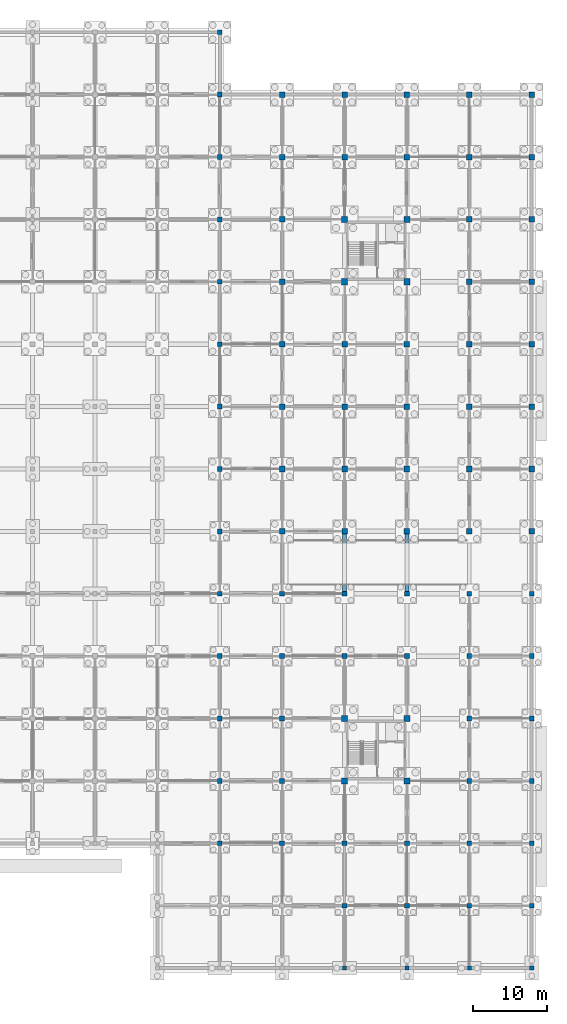
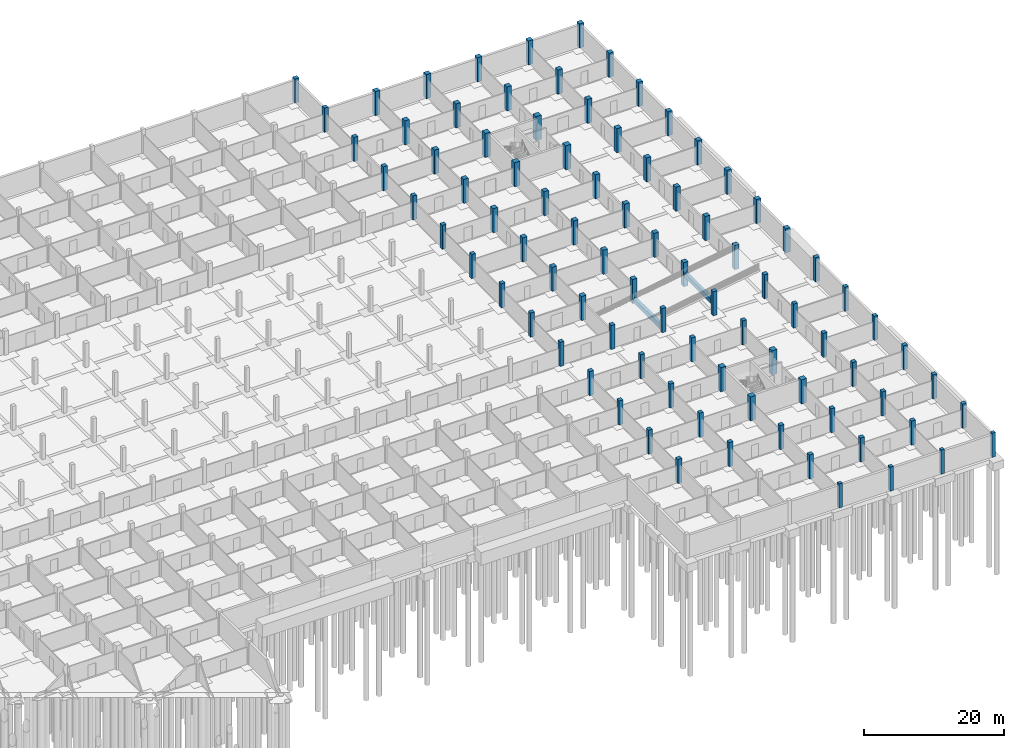
# One storey, part 17 of 43: 87 columns, 2 beams.
"""IFC4 building model written with IfcOpenShell, lengths in metres."""

from ifc_helpers import new_model, si_unit, direction, frame, origin, origin_2d, place, context, subcontext, project, spatial, rectangle, extrude, material, material_profile, profile_set, type_object, element, save


model = new_model("IFC4")

# Units and contexts
model_context = context("Model", 3, precision=1e-05, world=origin(), true_north=direction((0.0, 1.0)))
body_context = subcontext(model_context, "Body", "Model", "MODEL_VIEW")
ifc_project = project(units=[si_unit("LENGTHUNIT", "METRE"), si_unit("AREAUNIT", "SQUARE_METRE"), si_unit("VOLUMEUNIT", "CUBIC_METRE"), si_unit("PLANEANGLEUNIT", "RADIAN"), si_unit("MASSUNIT", "GRAM", prefix="KILO")], contexts=[model_context])

# Site, building, storey
site_placement = place(None, origin())
site = spatial("IfcSite", under=ifc_project, at=site_placement, CompositionType="ELEMENT")
building_placement = place(site_placement, origin())
building = spatial("IfcBuilding", under=site, at=building_placement, Name="Varnapada Polytechnic", CompositionType="ELEMENT")
storey_placement = place(building_placement, frame((0.0, 0.0, -4.199951171875)))
storey = spatial("IfcBuildingStorey", under=building, at=storey_placement, Name="B1", CompositionType="ELEMENT", Elevation=-4.199951171875)

# Columns
ifc_material = material(Name="Concrete C40/50", Category="concrete")
ifc_material_profile_1 = material_profile(ifc_material, rectangle(XDim=0.85009765625, YDim=0.85009765625, at=origin_2d()), Name="RC 850x850")
ifc_profile_set_1 = profile_set([ifc_material_profile_1], Name="Concrete C40/50")
column_type_1 = type_object("IfcColumnType", Name="Column C-01 (RC 850x850)", PredefinedType="COLUMN", material=ifc_profile_set_1)
for number, where, z_axis, x_axis, name in (
    (1, (151.199951171875, 25.199951171875, 0.0), (0.0, 0.0, 1.0), (1.0, 0.0, 0.0), "B1 column 19/4"),
    (2, (151.199951171875, 33.60009765625, 0.0), (0.0, 0.0, 1.0), (1.0, 0.0, 0.0), "B1 column 19/5"),
    (3, (151.199951171875, 92.39990234375, 0.0), (0.0, 0.0, 1.0), (1.0, 0.0, 0.0), "B1 column 19/12"),
    (4, (151.199951171875, 100.800048828125, 0.0), (0.0, 0.0, 1.0), (1.0, 0.0, 0.0), "B1 column 19/13"),
    (5, (159.60009765625, 25.199951171875, 0.0), (0.0, 0.0, 1.0), (1.0, 0.0, 0.0), "B1 column 20/4"),
    (6, (159.60009765625, 33.60009765625, 0.0), (0.0, 0.0, 1.0), (1.0, 0.0, 0.0), "B1 column 20/5"),
    (7, (159.60009765625, 92.39990234375, 0.0), (0.0, 0.0, 1.0), (1.0, 0.0, 0.0), "B1 column 20/12"),
    (8, (159.60009765625, 100.800048828125, 0.0), (0.0, 0.0, 1.0), (1.0, 0.0, 0.0), "B1 column 20/13"),
):
    element("IfcColumn", number, at=place(storey_placement, frame(where, z_axis=z_axis, x_axis=x_axis)), inside=storey, type_object=column_type_1, Name=name, PredefinedType="COLUMN", context=body_context, shape_type="SweptSolid", body=[
        extrude(rectangle(XDim=0.85009765625, YDim=0.85009765625, at=origin_2d()), origin(), (0.0, 0.0, 1.0), 4.199951171875),
    ])
ifc_material_profile_2 = material_profile(ifc_material, rectangle(XDim=0.75, YDim=0.75, at=origin_2d()), Name="RC 750x750")
ifc_profile_set_2 = profile_set([ifc_material_profile_2], Name="Concrete C40/50")
column_type_2 = type_object("IfcColumnType", Name="Column C-02 (RC 750x750)", PredefinedType="COLUMN", material=ifc_profile_set_2)
for number, where, z_axis, x_axis, name in (
    (9, (142.800048828125, 58.800048828125, 0.0), (0.0, 0.0, 1.0), (1.0, 0.0, 0.0), "B1 column 18/8"),
    (10, (142.800048828125, 67.199951171875, 0.0), (0.0, 0.0, 1.0), (1.0, 0.0, 0.0), "B1 column 18/9"),
    (11, (142.800048828125, 75.60009765625, 0.0), (0.0, 0.0, 1.0), (1.0, 0.0, 0.0), "B1 column 18/10"),
    (12, (142.800048828125, 84.0, 0.0), (0.0, 0.0, 1.0), (1.0, 0.0, 0.0), "B1 column 18/11"),
    (13, (142.800048828125, 92.39990234375, 0.0), (0.0, 0.0, 1.0), (1.0, 0.0, 0.0), "B1 column 18/12"),
    (14, (142.800048828125, 100.800048828125, 0.0), (0.0, 0.0, 1.0), (1.0, 0.0, 0.0), "B1 column 18/13"),
    (15, (142.800048828125, 109.199951171875, 0.0), (0.0, 0.0, 1.0), (1.0, 0.0, 0.0), "B1 column 18/14"),
    (16, (142.800048828125, 117.60009765625, 0.0), (0.0, 0.0, 1.0), (1.0, 0.0, 0.0), "B1 column 18/15"),
    (17, (151.199951171875, 58.800048828125, 0.0), (0.0, 0.0, 1.0), (1.0, 0.0, 0.0), "B1 column 19/8"),
    (18, (151.199951171875, 67.199951171875, 0.0), (0.0, 0.0, 1.0), (1.0, 0.0, 0.0), "B1 column 19/9"),
    (19, (151.199951171875, 75.60009765625, 0.0), (0.0, 0.0, 1.0), (1.0, 0.0, 0.0), "B1 column 19/10"),
    (20, (151.199951171875, 84.0, 0.0), (0.0, 0.0, 1.0), (1.0, 0.0, 0.0), "B1 column 19/11"),
    (21, (151.199951171875, 109.199951171875, 0.0), (0.0, 0.0, 1.0), (1.0, 0.0, 0.0), "B1 column 19/14"),
    (22, (151.199951171875, 117.60009765625, 0.0), (0.0, 0.0, 1.0), (1.0, 0.0, 0.0), "B1 column 19/15"),
    (23, (159.60009765625, 58.800048828125, 0.0), (0.0, 0.0, 1.0), (1.0, 0.0, 0.0), "B1 column 20/8"),
    (24, (159.60009765625, 67.199951171875, 0.0), (0.0, 0.0, 1.0), (1.0, 0.0, 0.0), "B1 column 20/9"),
    (25, (159.60009765625, 75.60009765625, 0.0), (0.0, 0.0, 1.0), (1.0, 0.0, 0.0), "B1 column 20/10"),
    (26, (159.60009765625, 84.0, 0.0), (0.0, 0.0, 1.0), (1.0, 0.0, 0.0), "B1 column 20/11"),
    (27, (159.60009765625, 109.199951171875, 0.0), (0.0, 0.0, 1.0), (1.0, 0.0, 0.0), "B1 column 20/14"),
    (28, (159.60009765625, 117.60009765625, 0.0), (0.0, 0.0, 1.0), (1.0, 0.0, 0.0), "B1 column 20/15"),
    (29, (168.0, 58.800048828125, 0.0), (0.0, 0.0, 1.0), (1.0, 0.0, 0.0), "B1 column 21/8"),
    (30, (168.0, 67.199951171875, 0.0), (0.0, 0.0, 1.0), (1.0, 0.0, 0.0), "B1 column 21/9"),
    (31, (168.0, 75.60009765625, 0.0), (0.0, 0.0, 1.0), (1.0, 0.0, 0.0), "B1 column 21/10"),
    (32, (168.0, 84.0, 0.0), (0.0, 0.0, 1.0), (1.0, 0.0, 0.0), "B1 column 21/11"),
    (33, (168.0, 92.39990234375, 0.0), (0.0, 0.0, 1.0), (1.0, 0.0, 0.0), "B1 column 21/12"),
    (34, (168.0, 100.800048828125, 0.0), (0.0, 0.0, 1.0), (1.0, 0.0, 0.0), "B1 column 21/13"),
    (35, (168.0, 109.199951171875, 0.0), (0.0, 0.0, 1.0), (1.0, 0.0, 0.0), "B1 column 21/14"),
    (36, (168.0, 117.60009765625, 0.0), (0.0, 0.0, 1.0), (1.0, 0.0, 0.0), "B1 column 21/15"),
    (37, (176.39990234375, 58.800048828125, 0.0), (0.0, 0.0, 1.0), (1.0, 0.0, 0.0), "B1 column 22/8"),
    (38, (176.39990234375, 67.199951171875, 0.0), (0.0, 0.0, 1.0), (1.0, 0.0, 0.0), "B1 column 22/9"),
    (39, (176.39990234375, 75.60009765625, 0.0), (0.0, 0.0, 1.0), (1.0, 0.0, 0.0), "B1 column 22/10"),
    (40, (176.39990234375, 84.0, 0.0), (0.0, 0.0, 1.0), (1.0, 0.0, 0.0), "B1 column 22/11"),
    (41, (176.39990234375, 92.39990234375, 0.0), (0.0, 0.0, 1.0), (1.0, 0.0, 0.0), "B1 column 22/12"),
    (42, (176.39990234375, 100.800048828125, 0.0), (0.0, 0.0, 1.0), (1.0, 0.0, 0.0), "B1 column 22/13"),
    (43, (176.39990234375, 109.199951171875, 0.0), (0.0, 0.0, 1.0), (1.0, 0.0, 0.0), "B1 column 22/14"),
    (44, (176.39990234375, 117.60009765625, 0.0), (0.0, 0.0, 1.0), (1.0, 0.0, 0.0), "B1 column 22/15"),
):
    element("IfcColumn", number, at=place(storey_placement, frame(where, z_axis=z_axis, x_axis=x_axis)), inside=storey, type_object=column_type_2, Name=name, PredefinedType="COLUMN", context=body_context, shape_type="SweptSolid", body=[
        extrude(rectangle(XDim=0.75, YDim=0.75, at=origin_2d()), origin(), (0.0, 0.0, 1.0), 4.199951171875),
    ])
ifc_material_profile_3 = material_profile(ifc_material, rectangle(XDim=0.64990234375, YDim=0.64990234375, at=origin_2d()), Name="RC 650x650")
ifc_profile_set_3 = profile_set([ifc_material_profile_3], Name="Concrete C40/50")
column_type_3 = type_object("IfcColumnType", Name="Column C-03 (RC 650x650)", PredefinedType="COLUMN", material=ifc_profile_set_3)
for number, where, z_axis, x_axis, name in (
    (45, (134.39990234375, 16.800048828125, 0.0), (0.0, 0.0, 1.0), (1.0, 0.0, 0.0), "B1 column 17/3"),
    (46, (134.39990234375, 25.199951171875, 0.0), (0.0, 0.0, 1.0), (1.0, 0.0, 0.0), "B1 column 17/4"),
    (47, (134.39990234375, 33.60009765625, 0.0), (0.0, 0.0, 1.0), (1.0, 0.0, 0.0), "B1 column 17/5"),
    (48, (134.39990234375, 42.0, 0.0), (0.0, 0.0, 1.0), (1.0, 0.0, 0.0), "B1 column 17/6"),
    (49, (134.39990234375, 50.39990234375, 0.0), (0.0, 0.0, 1.0), (1.0, 0.0, 0.0), "B1 column 17/7"),
    (50, (134.39990234375, 58.800048828125, 0.0), (0.0, 0.0, 1.0), (1.0, 0.0, 0.0), "B1 column 17/8"),
    (51, (134.39990234375, 67.199951171875, 0.0), (0.0, 0.0, 1.0), (1.0, 0.0, 0.0), "B1 column 17/9"),
    (52, (134.39990234375, 75.60009765625, 0.0), (0.0, 0.0, 1.0), (1.0, 0.0, 0.0), "B1 column 17/10"),
    (53, (134.39990234375, 84.0, 0.0), (0.0, 0.0, 1.0), (1.0, 0.0, 0.0), "B1 column 17/11"),
    (54, (134.39990234375, 92.39990234375, 0.0), (0.0, 0.0, 1.0), (1.0, 0.0, 0.0), "B1 column 17/12"),
    (55, (134.39990234375, 100.800048828125, 0.0), (0.0, 0.0, 1.0), (1.0, 0.0, 0.0), "B1 column 17/13"),
    (56, (134.39990234375, 109.199951171875, 0.0), (0.0, 0.0, 1.0), (1.0, 0.0, 0.0), "B1 column 17/14"),
    (57, (134.39990234375, 117.60009765625, 0.0), (0.0, 0.0, 1.0), (1.0, 0.0, 0.0), "B1 column 17/15"),
    (58, (134.39990234375, 126.0, 0.0), (0.0, 0.0, 1.0), (1.0, 0.0, 0.0), "B1 column 17/16"),
    (59, (142.800048828125, 16.800048828125, 0.0), (0.0, 0.0, 1.0), (1.0, 0.0, 0.0), "B1 column 18/3"),
    (60, (142.800048828125, 25.199951171875, 0.0), (0.0, 0.0, 1.0), (1.0, 0.0, 0.0), "B1 column 18/4"),
    (61, (142.800048828125, 33.60009765625, 0.0), (0.0, 0.0, 1.0), (1.0, 0.0, 0.0), "B1 column 18/5"),
    (62, (142.800048828125, 42.0, 0.0), (0.0, 0.0, 1.0), (1.0, 0.0, 0.0), "B1 column 18/6"),
    (63, (142.800048828125, 50.39990234375, 0.0), (0.0, 0.0, 1.0), (1.0, 0.0, 0.0), "B1 column 18/7"),
    (64, (151.199951171875, 8.39990234375, 0.0), (0.0, 0.0, 1.0), (1.0, 0.0, 0.0), "B1 column 19/2"),
    (65, (151.199951171875, 16.800048828125, 0.0), (0.0, 0.0, 1.0), (1.0, 0.0, 0.0), "B1 column 19/3"),
    (66, (151.199951171875, 42.0, 0.0), (0.0, 0.0, 1.0), (1.0, 0.0, 0.0), "B1 column 19/6"),
    (67, (151.199951171875, 50.39990234375, 0.0), (0.0, 0.0, 1.0), (1.0, 0.0, 0.0), "B1 column 19/7"),
    (68, (159.60009765625, 8.39990234375, 0.0), (0.0, 0.0, 1.0), (1.0, 0.0, 0.0), "B1 column 20/2"),
    (69, (159.60009765625, 16.800048828125, 0.0), (0.0, 0.0, 1.0), (1.0, 0.0, 0.0), "B1 column 20/3"),
    (70, (159.60009765625, 42.0, 0.0), (0.0, 0.0, 1.0), (1.0, 0.0, 0.0), "B1 column 20/6"),
    (71, (159.60009765625, 50.39990234375, 0.0), (0.0, 0.0, 1.0), (1.0, 0.0, 0.0), "B1 column 20/7"),
    (72, (168.0, 8.39990234375, 0.0), (0.0, 0.0, 1.0), (1.0, 0.0, 0.0), "B1 column 21/2"),
    (73, (168.0, 16.800048828125, 0.0), (0.0, 0.0, 1.0), (1.0, 0.0, 0.0), "B1 column 21/3"),
    (74, (168.0, 25.199951171875, 0.0), (0.0, 0.0, 1.0), (1.0, 0.0, 0.0), "B1 column 21/4"),
    (75, (168.0, 33.60009765625, 0.0), (0.0, 0.0, 1.0), (1.0, 0.0, 0.0), "B1 column 21/5"),
    (76, (168.0, 42.0, 0.0), (0.0, 0.0, 1.0), (1.0, 0.0, 0.0), "B1 column 21/6"),
    (77, (168.0, 50.39990234375, 0.0), (0.0, 0.0, 1.0), (1.0, 0.0, 0.0), "B1 column 21/7"),
    (78, (176.39990234375, 8.39990234375, 0.0), (0.0, 0.0, 1.0), (1.0, 0.0, 0.0), "B1 column 22/2"),
    (79, (176.39990234375, 16.800048828125, 0.0), (0.0, 0.0, 1.0), (1.0, 0.0, 0.0), "B1 column 22/3"),
    (80, (176.39990234375, 25.199951171875, 0.0), (0.0, 0.0, 1.0), (1.0, 0.0, 0.0), "B1 column 22/4"),
    (81, (176.39990234375, 33.60009765625, 0.0), (0.0, 0.0, 1.0), (1.0, 0.0, 0.0), "B1 column 22/5"),
    (82, (176.39990234375, 42.0, 0.0), (0.0, 0.0, 1.0), (1.0, 0.0, 0.0), "B1 column 22/6"),
    (83, (176.39990234375, 50.39990234375, 0.0), (0.0, 0.0, 1.0), (1.0, 0.0, 0.0), "B1 column 22/7"),
):
    element("IfcColumn", number, at=place(storey_placement, frame(where, z_axis=z_axis, x_axis=x_axis)), inside=storey, type_object=column_type_3, Name=name, PredefinedType="COLUMN", context=body_context, shape_type="SweptSolid", body=[
        extrude(rectangle(XDim=0.64990234375, YDim=0.64990234375, at=origin_2d()), origin(), (0.0, 0.0, 1.0), 4.199951171875),
    ])
ifc_material_profile_4 = material_profile(ifc_material, rectangle(XDim=0.550048828125, YDim=0.550048828125, at=origin_2d()), Name="RC 550x550")
ifc_profile_set_4 = profile_set([ifc_material_profile_4], Name="Concrete C40/50")
column_type_4 = type_object("IfcColumnType", Name="Column C-04 (RC 550x550)", PredefinedType="COLUMN", material=ifc_profile_set_4)
for number, where, z_axis, x_axis, name in (
    (84, (151.199951171875, 0.0, 0.0), (0.0, 0.0, 1.0), (1.0, 0.0, 0.0), "B1 column 19/1"),
    (85, (159.60009765625, 0.0, 0.0), (0.0, 0.0, 1.0), (1.0, 0.0, 0.0), "B1 column 20/1"),
    (86, (168.0, 0.0, 0.0), (0.0, 0.0, 1.0), (1.0, 0.0, 0.0), "B1 column 21/1"),
    (87, (176.39990234375, 0.0, 0.0), (0.0, 0.0, 1.0), (1.0, 0.0, 0.0), "B1 column 22/1"),
):
    element("IfcColumn", number, at=place(storey_placement, frame(where, z_axis=z_axis, x_axis=x_axis)), inside=storey, type_object=column_type_4, Name=name, PredefinedType="COLUMN", context=body_context, shape_type="SweptSolid", body=[
        extrude(rectangle(XDim=0.550048828125, YDim=0.550048828125, at=origin_2d()), origin(), (0.0, 0.0, 1.0), 4.199951171875),
    ])

# Beams
ifc_material_profile_5 = material_profile(ifc_material, rectangle(XDim=0.5, YDim=0.800048828125, at=origin_2d()), Name="RC 500x800")
ifc_profile_set_5 = profile_set([ifc_material_profile_5], Name="Concrete C40/50")
beam_type = type_object("IfcBeamType", Name="Refectory podium girder BB-03 (RC 500x800)", PredefinedType="BEAM", material=ifc_profile_set_5)
for number, where, z_axis, x_axis, name in (
    (88, (151.199951171875, 50.39990234375, 0.579833984375), (0.0, 1.0, 0.0), (-1.0, 0.0, 0.0), "Vehicle ramp transverse support girder 1"),
    (89, (159.60009765625, 50.39990234375, 2.02001953125), (0.0, 1.0, 0.0), (-1.0, 0.0, 0.0), "Vehicle ramp transverse support girder 2"),
):
    element("IfcBeam", number, at=place(storey_placement, frame(where, z_axis=z_axis, x_axis=x_axis)), inside=storey, type_object=beam_type, Name=name, PredefinedType="BEAM", context=body_context, shape_type="SweptSolid", body=[
        extrude(rectangle(XDim=0.5, YDim=0.800048828125, at=origin_2d()), origin(), (0.0, 0.0, 1.0), 8.400146484375),
    ])

save(model, "model.ifc")
